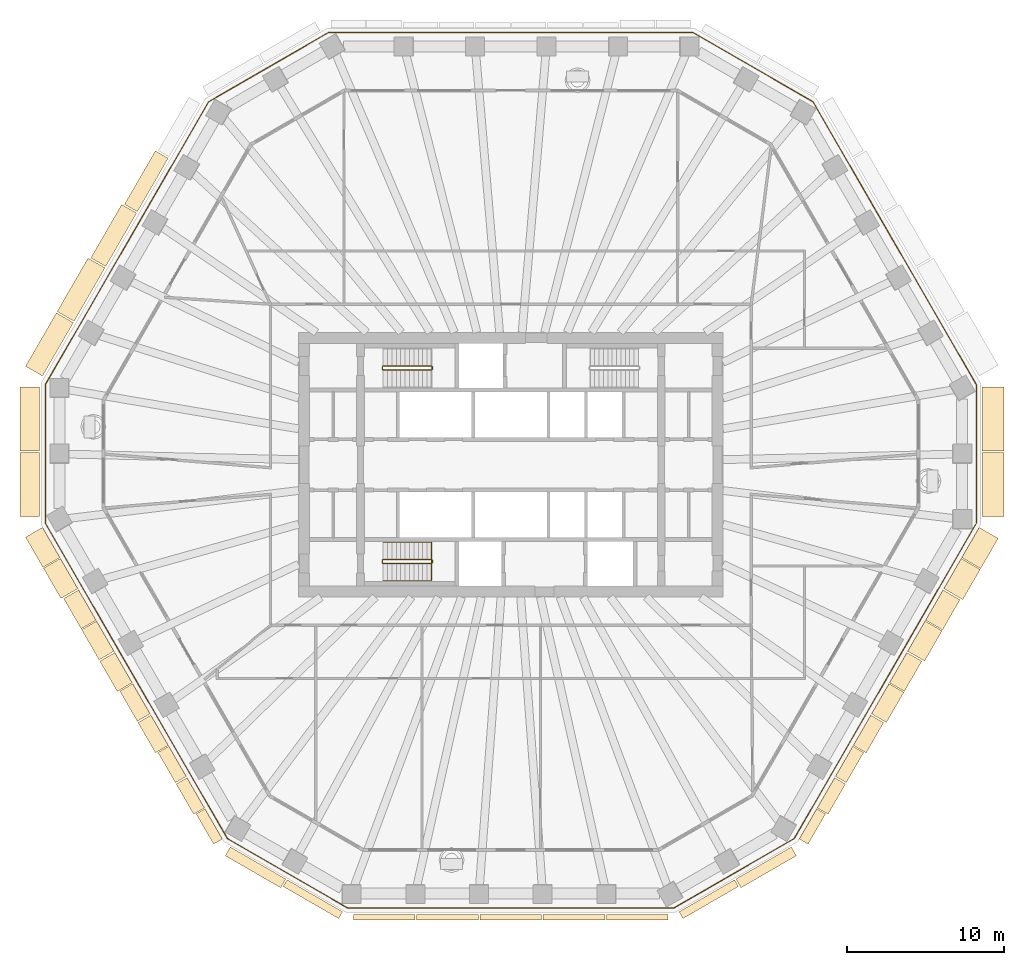
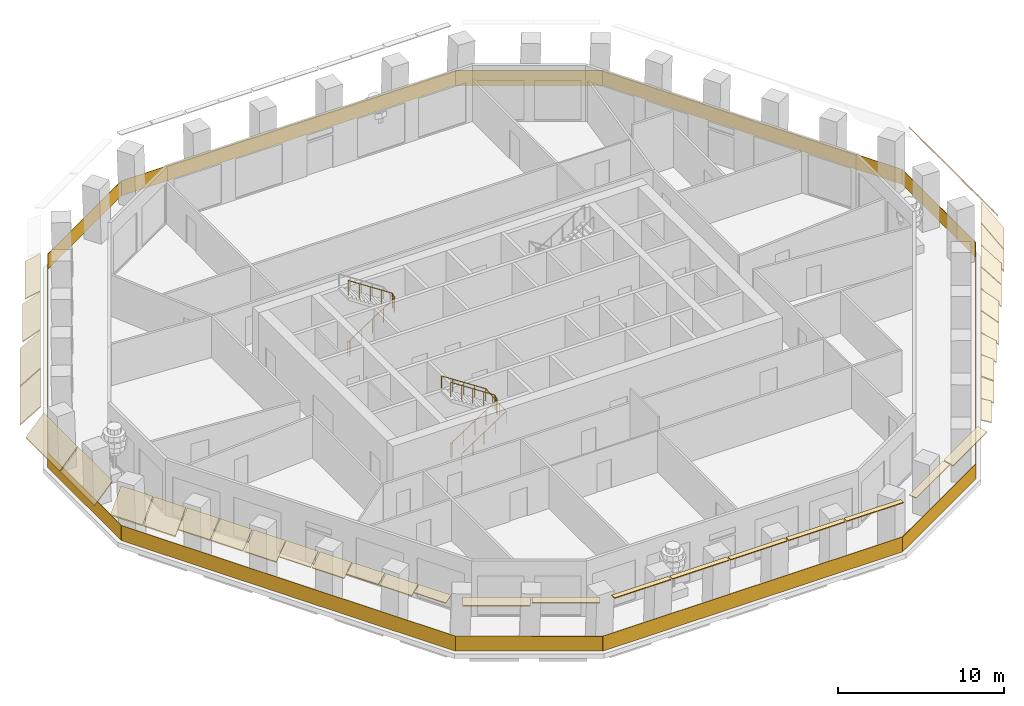
# One storey, part 10 of 13: 37 coverings, 4 railings.
"""IFC4 building model written with IfcOpenShell, lengths in metres."""

from ifc_helpers import new_model, si_unit, direction, frame, origin, origin_2d, place, context, subcontext, project, spatial, polyline, rectangle, circle, outline, extrude, material, layer, layer_set, type_object, element, save


model = new_model("IFC4")

# Units and contexts
model_context = context("Model", 3, precision=1e-05, world=origin(), true_north=direction((0.0, 1.0)))
body_context = subcontext(model_context, "Body", "Model", "MODEL_VIEW")
ifc_project = project(units=[si_unit("LENGTHUNIT", "METRE"), si_unit("AREAUNIT", "SQUARE_METRE"), si_unit("VOLUMEUNIT", "CUBIC_METRE"), si_unit("PLANEANGLEUNIT", "RADIAN"), si_unit("MASSUNIT", "GRAM", prefix="KILO")], contexts=[model_context])

# Site, building, storey
site_placement = place(None, origin())
site = spatial("IfcSite", under=ifc_project, at=site_placement, CompositionType="ELEMENT")
building_placement = place(site_placement, origin())
building = spatial("IfcBuilding", under=site, at=building_placement, Name="Frailejon Research Tower", CompositionType="ELEMENT")
storey_placement = place(building_placement, frame((0.0, 0.0, 167.199951171875)))
storey = spatial("IfcBuildingStorey", under=building, at=storey_placement, Name="L36", CompositionType="ELEMENT", Elevation=167.199951171875)

# Coverings
ifc_material_1 = material(Name="Precast concrete C50/60", Category="concrete")
ifc_layer_1 = layer(ifc_material_1, 0.06005859375)
ifc_layer_set_1 = layer_set([ifc_layer_1], Name="Brim blade depth 1100")
covering_type_1 = type_object("IfcCoveringType", Name="Brim blade depth 1100", PredefinedType="CLADDING", material=ifc_layer_set_1)
covering_1_placement = place(storey_placement, frame((-25.86572265625, 12.65869140625, 4.25), z_axis=(0.500009543026, 0.866019894046, 0.0), x_axis=(-0.866019894046, 0.500009543026, 0.0)))
element("IfcCovering", 1, at=covering_1_placement, inside=storey, type_object=covering_type_1, Name="Brim blade L36", PredefinedType="CLADDING", context=body_context, shape_type="SweptSolid", body=[
    extrude(outline(polyline([(0.0, -0.078369140625), (1.10009765625, -1.001220703125), (1.10009765625, -0.923095703125), (0.0, 0.0), (0.0, -0.078369140625)])), origin(), (0.0, 0.0, 1.0), 3.940185546875),
])
for number, where, z_axis, x_axis, name in (
    (2, (-26.484619140625, -9.927001953125, 4.25), (-0.499981914212, 0.866035845367, 0.0), (-0.866035845367, -0.499981914212, 0.0), "Brim blade L36"),
    (3, (-25.3408203125, -11.908203125, 4.25), (-0.499981914212, 0.866035845367, 0.0), (-0.866035845367, -0.499981914212, 0.0), "Brim blade L36"),
    (4, (-24.177001953125, -13.924072265625, 4.25), (-0.500007547957, 0.866021045926, 0.0), (-0.866021045926, -0.500007547957, 0.0), "Brim blade L36"),
    (5, (24.147216796875, -13.97607421875, 4.25), (-0.500007547957, -0.866021045926, 0.0), (0.866021045926, -0.500007547957, 0.0), "Brim blade L36"),
    (6, (25.291015625, -11.994873046875, 4.25), (-0.500007547957, -0.866021045926, 0.0), (0.866021045926, -0.500007547957, 0.0), "Brim blade L36"),
):
    element("IfcCovering", number, at=place(storey_placement, frame(where, z_axis=z_axis, x_axis=x_axis)), inside=storey, type_object=covering_type_1, Name=name, PredefinedType="CLADDING", context=body_context, shape_type="SweptSolid", body=[
        extrude(outline(polyline([(0.0, -0.078369140625), (1.10009765625, -1.001220703125), (1.10009765625, -0.923095703125), (0.0, 0.0), (0.0, -0.078369140625)])), origin(), (0.0, 0.0, 1.0), 2.2275390625),
    ])
ifc_material_2 = material(Name="Precast concrete C50/60", Category="concrete")
ifc_layer_2 = layer(ifc_material_2, 0.06005859375)
ifc_layer_set_2 = layer_set([ifc_layer_2], Name="Brim blade depth 1250")
covering_type_2 = type_object("IfcCoveringType", Name="Brim blade depth 1250", PredefinedType="CLADDING", material=ifc_layer_set_2)
covering_2_placement = place(storey_placement, frame((-27.8857421875, 9.15966796875, 4.25), z_axis=(0.499990979749, 0.866030611566, 0.0), x_axis=(-0.866030611566, 0.499990979749, 0.0)))
element("IfcCovering", 7, at=covering_2_placement, inside=storey, type_object=covering_type_2, Name="Brim blade L36", PredefinedType="CLADDING", context=body_context, shape_type="SweptSolid", body=[
    extrude(outline(polyline([(0.0, -0.0888671875), (1.25, -1.452880859375), (1.25, -1.364013671875), (0.0, 0.0), (0.0, -0.0888671875)])), origin(), (0.0, 0.0, 1.0), 3.940185546875),
])
covering_3_placement = place(storey_placement, frame((-29.906005859375, 5.660400390625, 4.25), z_axis=(0.499998825824, 0.866026081694, 0.0), x_axis=(-0.866026081694, 0.499998825824, 0.0)))
element("IfcCovering", 8, at=covering_3_placement, inside=storey, type_object=covering_type_2, Name="Brim blade L36", PredefinedType="CLADDING", context=body_context, shape_type="SweptSolid", body=[
    extrude(outline(polyline([(0.0, -0.0888671875), (1.25, -1.452880859375), (1.25, -1.364013671875), (0.0, 0.0), (0.0, -0.0888671875)])), origin(), (0.0, 0.0, 1.0), 3.9404296875),
])
covering_4_placement = place(storey_placement, frame((-30.091796875, 0.879638671875, 4.25), z_axis=(0.0, 1.0, 0.0), x_axis=(-1.0, 0.0, 0.0)))
element("IfcCovering", 9, at=covering_4_placement, inside=storey, type_object=covering_type_2, Name="Brim blade L36", PredefinedType="CLADDING", context=body_context, shape_type="SweptSolid", body=[
    extrude(outline(polyline([(0.0, -0.0888671875), (1.25, -1.452880859375), (1.25, -1.364013671875), (0.0, 0.0), (0.0, -0.0888671875)])), origin(), (0.0, 0.0, 1.0), 4.08740234375),
])
covering_5_placement = place(storey_placement, frame((-30.091796875, -3.307861328125, 4.25), z_axis=(0.0, 1.0, 0.0), x_axis=(-1.0, 0.0, 0.0)))
element("IfcCovering", 10, at=covering_5_placement, inside=storey, type_object=covering_type_2, Name="Brim blade L36", PredefinedType="CLADDING", context=body_context, shape_type="SweptSolid", body=[
    extrude(outline(polyline([(0.0, -0.0888671875), (1.25, -1.452880859375), (1.25, -1.364013671875), (0.0, 0.0), (0.0, -0.0888671875)])), origin(), (0.0, 0.0, 1.0), 4.087646484375),
])
for number, where, z_axis, x_axis, name in (
    (11, (-28.792236328125, -5.930419921875, 4.25), (-0.500007547957, 0.866021045926, 0.0), (-0.866021045926, -0.500007547957, 0.0), "Brim blade L36"),
    (12, (-27.6484375, -7.911376953125, 4.25), (-0.500007547957, 0.866021045926, 0.0), (-0.866021045926, -0.500007547957, 0.0), "Brim blade L36"),
    (13, (26.45458984375, -9.97900390625, 4.25), (-0.499981914212, -0.866035845367, 0.0), (0.866035845367, -0.499981914212, 0.0), "Brim blade L36"),
    (14, (27.598388671875, -7.998046875, 4.25), (-0.499981914212, -0.866035845367, 0.0), (0.866035845367, -0.499981914212, 0.0), "Brim blade L36"),
):
    element("IfcCovering", number, at=place(storey_placement, frame(where, z_axis=z_axis, x_axis=x_axis)), inside=storey, type_object=covering_type_2, Name=name, PredefinedType="CLADDING", context=body_context, shape_type="SweptSolid", body=[
        extrude(outline(polyline([(0.0, -0.0888671875), (1.25, -1.452880859375), (1.25, -1.364013671875), (0.0, 0.0), (0.0, -0.0888671875)])), origin(), (0.0, 0.0, 1.0), 2.2275390625),
    ])
ifc_material_3 = material(Name="Precast concrete C50/60", Category="concrete")
ifc_layer_3 = layer(ifc_material_3, 0.06005859375)
ifc_layer_set_3 = layer_set([ifc_layer_3], Name="Brim blade depth 1400")
covering_type_3 = type_object("IfcCoveringType", Name="Brim blade depth 1400", PredefinedType="CLADDING", material=ifc_layer_set_3)
covering_6_placement = place(storey_placement, frame((30.091796875, 0.77978515625, 4.25), z_axis=(0.0, -1.0, 0.0), x_axis=(1.0, 0.0, 0.0)))
element("IfcCovering", 15, at=covering_6_placement, inside=storey, type_object=covering_type_3, Name="Brim blade L36", PredefinedType="CLADDING", context=body_context, shape_type="SweptSolid", body=[
    extrude(outline(polyline([(0.0, -0.1044921875), (1.39990234375, -2.10400390625), (1.39990234375, -1.99951171875), (0.0, 0.0), (0.0, -0.1044921875)])), origin(), (0.0, 0.0, 1.0), 4.087646484375),
])
covering_7_placement = place(storey_placement, frame((30.091796875, 4.96728515625, 4.25), z_axis=(0.0, -1.0, 0.0), x_axis=(1.0, 0.0, 0.0)))
element("IfcCovering", 16, at=covering_7_placement, inside=storey, type_object=covering_type_3, Name="Brim blade L36", PredefinedType="CLADDING", context=body_context, shape_type="SweptSolid", body=[
    extrude(outline(polyline([(0.0, -0.1044921875), (1.39990234375, -2.10400390625), (1.39990234375, -1.99951171875), (0.0, 0.0), (0.0, -0.1044921875)])), origin(), (0.0, 0.0, 1.0), 4.08740234375),
])
for number, where, z_axis, x_axis, name in (
    (17, (28.76220703125, -5.982421875, 4.25), (-0.500007547957, -0.866021045926, 0.0), (0.866021045926, -0.500007547957, 0.0), "Brim blade L36"),
    (18, (29.906005859375, -4.001220703125, 4.25), (-0.500007547957, -0.866021045926, 0.0), (0.866021045926, -0.500007547957, 0.0), "Brim blade L36"),
):
    element("IfcCovering", number, at=place(storey_placement, frame(where, z_axis=z_axis, x_axis=x_axis)), inside=storey, type_object=covering_type_3, Name=name, PredefinedType="CLADDING", context=body_context, shape_type="SweptSolid", body=[
        extrude(outline(polyline([(0.0, -0.1044921875), (1.39990234375, -2.10400390625), (1.39990234375, -1.99951171875), (0.0, 0.0), (0.0, -0.1044921875)])), origin(), (0.0, 0.0, 1.0), 2.2275390625),
    ])
ifc_material_4 = material(Name="Precast concrete C50/60", Category="concrete")
ifc_layer_4 = layer(ifc_material_4, 0.06005859375)
ifc_layer_set_4 = layer_set([ifc_layer_4], Name="Brim blade depth 350")
covering_type_4 = type_object("IfcCoveringType", Name="Brim blade depth 350", PredefinedType="CLADDING", material=ifc_layer_set_4)
covering_8_placement = place(storey_placement, frame((-6.110595703125, -28.729736328125, 4.25), z_axis=(-1.0, 0.0, 0.0), x_axis=(0.0, -1.0, 0.0)))
element("IfcCovering", 19, at=covering_8_placement, inside=storey, type_object=covering_type_4, Name="Brim blade L36", PredefinedType="CLADDING", context=body_context, shape_type="SweptSolid", body=[
    extrude(outline(polyline([(0.0, -0.06005859375), (0.35009765625, -0.06005859375), (0.35009765625, 0.0), (0.0, 0.0), (0.0, -0.06005859375)])), origin(), (0.0, 0.0, 1.0), 3.9404296875),
])
covering_9_placement = place(storey_placement, frame((-2.0703125, -28.729736328125, 4.25), z_axis=(-1.0, 0.0, 0.0), x_axis=(0.0, -1.0, 0.0)))
element("IfcCovering", 20, at=covering_9_placement, inside=storey, type_object=covering_type_4, Name="Brim blade L36", PredefinedType="CLADDING", context=body_context, shape_type="SweptSolid", body=[
    extrude(outline(polyline([(0.0, -0.06005859375), (0.35009765625, -0.06005859375), (0.35009765625, 0.0), (0.0, 0.0), (0.0, -0.06005859375)])), origin(), (0.0, 0.0, 1.0), 3.940185546875),
])
covering_10_placement = place(storey_placement, frame((1.97021484375, -28.729736328125, 4.25), z_axis=(-1.0, 0.0, 0.0), x_axis=(0.0, -1.0, 0.0)))
element("IfcCovering", 21, at=covering_10_placement, inside=storey, type_object=covering_type_4, Name="Brim blade L36", PredefinedType="CLADDING", context=body_context, shape_type="SweptSolid", body=[
    extrude(outline(polyline([(0.0, -0.06005859375), (0.35009765625, -0.06005859375), (0.35009765625, 0.0), (0.0, 0.0), (0.0, -0.06005859375)])), origin(), (0.0, 0.0, 1.0), 3.9404296875),
])
covering_11_placement = place(storey_placement, frame((6.010498046875, -28.729736328125, 4.25), z_axis=(-1.0, 0.0, 0.0), x_axis=(0.0, -1.0, 0.0)))
element("IfcCovering", 22, at=covering_11_placement, inside=storey, type_object=covering_type_4, Name="Brim blade L36", PredefinedType="CLADDING", context=body_context, shape_type="SweptSolid", body=[
    extrude(outline(polyline([(0.0, -0.06005859375), (0.35009765625, -0.06005859375), (0.35009765625, 0.0), (0.0, 0.0), (0.0, -0.06005859375)])), origin(), (0.0, 0.0, 1.0), 3.940185546875),
])
covering_12_placement = place(storey_placement, frame((10.05078125, -28.729736328125, 4.25), z_axis=(-1.0, 0.0, 0.0), x_axis=(0.0, -1.0, 0.0)))
element("IfcCovering", 23, at=covering_12_placement, inside=storey, type_object=covering_type_4, Name="Brim blade L36", PredefinedType="CLADDING", context=body_context, shape_type="SweptSolid", body=[
    extrude(outline(polyline([(0.0, -0.06005859375), (0.35009765625, -0.06005859375), (0.35009765625, 0.0), (0.0, 0.0), (0.0, -0.06005859375)])), origin(), (0.0, 0.0, 1.0), 3.9404296875),
])
ifc_material_5 = material(Name="Precast concrete C50/60", Category="concrete")
ifc_layer_5 = layer(ifc_material_5, 0.06005859375)
ifc_layer_set_5 = layer_set([ifc_layer_5], Name="Brim blade depth 500")
covering_type_5 = type_object("IfcCoveringType", Name="Brim blade depth 500", PredefinedType="CLADDING", material=ifc_layer_set_5)
for number, where, z_axis, x_axis, name in (
    (24, (-10.744140625, -28.5439453125, 4.25), (-0.866021344981, 0.500007029989, 0.0), (-0.500007029989, -0.866021344981, 0.0), "Brim blade L36"),
    (25, (14.2841796875, -26.5, 4.25), (-0.866021344981, -0.500007029989, 0.0), (0.500007029989, -0.866021344981, 0.0), "Brim blade L36"),
):
    element("IfcCovering", number, at=place(storey_placement, frame(where, z_axis=z_axis, x_axis=x_axis)), inside=storey, type_object=covering_type_5, Name=name, PredefinedType="CLADDING", context=body_context, shape_type="SweptSolid", body=[
        extrude(outline(polyline([(0.0, -0.060546875), (0.5, -0.130859375), (0.5, -0.0703125), (0.0, 0.0), (0.0, -0.060546875)])), origin(), (0.0, 0.0, 1.0), 4.08740234375),
    ])
ifc_material_6 = material(Name="Precast concrete C50/60", Category="concrete")
ifc_layer_6 = layer(ifc_material_6, 0.06005859375)
ifc_layer_set_6 = layer_set([ifc_layer_6], Name="Brim blade depth 650")
covering_type_6 = type_object("IfcCoveringType", Name="Brim blade depth 650", PredefinedType="CLADDING", material=ifc_layer_set_6)
covering_13_placement = place(storey_placement, frame((-18.418212890625, -23.898681640625, 4.25), z_axis=(-0.500007547957, 0.866021045926, 0.0), x_axis=(-0.866021045926, -0.500007547957, 0.0)))
element("IfcCovering", 26, at=covering_13_placement, inside=storey, type_object=covering_type_6, Name="Brim blade L36", PredefinedType="CLADDING", context=body_context, shape_type="SweptSolid", body=[
    extrude(outline(polyline([(0.0, -0.0625), (0.64990234375, -0.248779296875), (0.64990234375, -0.186279296875), (0.0, 0.0), (0.0, -0.0625)])), origin(), (0.0, 0.0, 1.0), 2.2275390625),
])
for number, where, z_axis, x_axis, name in (
    (27, (-14.37060546875, -26.4501953125, 4.25), (-0.866021344981, 0.500007029989, 0.0), (-0.500007029989, -0.866021344981, 0.0), "Brim blade L36"),
    (28, (17.91064453125, -24.40625, 4.25), (-0.866021344981, -0.500007029989, 0.0), (0.500007029989, -0.866021344981, 0.0), "Brim blade L36"),
):
    element("IfcCovering", number, at=place(storey_placement, frame(where, z_axis=z_axis, x_axis=x_axis)), inside=storey, type_object=covering_type_6, Name=name, PredefinedType="CLADDING", context=body_context, shape_type="SweptSolid", body=[
        extrude(outline(polyline([(0.0, -0.0625), (0.64990234375, -0.248779296875), (0.64990234375, -0.186279296875), (0.0, 0.0), (0.0, -0.0625)])), origin(), (0.0, 0.0, 1.0), 4.08740234375),
    ])
covering_14_placement = place(storey_placement, frame((19.531982421875, -21.9697265625, 4.25), z_axis=(-0.500007547957, -0.866021045926, 0.0), x_axis=(0.866021045926, -0.500007547957, 0.0)))
element("IfcCovering", 29, at=covering_14_placement, inside=storey, type_object=covering_type_6, Name="Brim blade L36", PredefinedType="CLADDING", context=body_context, shape_type="SweptSolid", body=[
    extrude(outline(polyline([(0.0, -0.0625), (0.64990234375, -0.248779296875), (0.64990234375, -0.186279296875), (0.0, 0.0), (0.0, -0.0625)])), origin(), (0.0, 0.0, 1.0), 2.2275390625),
])
ifc_material_7 = material(Name="Precast concrete C50/60", Category="concrete")
ifc_layer_7 = layer(ifc_material_7, 0.06005859375)
ifc_layer_set_7 = layer_set([ifc_layer_7], Name="Brim blade depth 800")
covering_type_7 = type_object("IfcCoveringType", Name="Brim blade depth 800", PredefinedType="CLADDING", material=ifc_layer_set_7)
for number, where, z_axis, x_axis, name in (
    (30, (-20.7255859375, -19.902099609375, 4.25), (-0.499998165095, 0.866026463165, 0.0), (-0.866026463165, -0.499998165095, 0.0), "Brim blade L36"),
    (31, (-19.56201171875, -21.917724609375, 4.25), (-0.500007547957, 0.866021045926, 0.0), (-0.866021045926, -0.500007547957, 0.0), "Brim blade L36"),
    (32, (20.67578125, -19.988525390625, 4.25), (-0.500007547957, -0.866021045926, 0.0), (0.866021045926, -0.500007547957, 0.0), "Brim blade L36"),
    (33, (21.839599609375, -17.972900390625, 4.25), (-0.499998165095, -0.866026463165, 0.0), (0.866026463165, -0.499998165095, 0.0), "Brim blade L36"),
):
    element("IfcCovering", number, at=place(storey_placement, frame(where, z_axis=z_axis, x_axis=x_axis)), inside=storey, type_object=covering_type_7, Name=name, PredefinedType="CLADDING", context=body_context, shape_type="SweptSolid", body=[
        extrude(outline(polyline([(0.0, -0.065673828125), (0.800048828125, -0.421875), (0.800048828125, -0.356201171875), (0.0, 0.0), (0.0, -0.065673828125)])), origin(), (0.0, 0.0, 1.0), 2.2275390625),
    ])
ifc_material_8 = material(Name="Precast concrete C50/60", Category="concrete")
ifc_layer_8 = layer(ifc_material_8, 0.06005859375)
ifc_layer_set_8 = layer_set([ifc_layer_8], Name="Brim blade depth 950")
covering_type_8 = type_object("IfcCoveringType", Name="Brim blade depth 950", PredefinedType="CLADDING", material=ifc_layer_set_8)
covering_15_placement = place(storey_placement, frame((-23.845458984375, 16.15771484375, 4.25), z_axis=(0.499998825824, 0.866026081694, 0.0), x_axis=(-0.866026081694, 0.499998825824, 0.0)))
element("IfcCovering", 34, at=covering_15_placement, inside=storey, type_object=covering_type_8, Name="Brim blade L36", PredefinedType="CLADDING", context=body_context, shape_type="SweptSolid", body=[
    extrude(outline(polyline([(0.0, -0.07080078125), (0.949951171875, -0.664306640625), (0.949951171875, -0.593505859375), (0.0, 0.0), (0.0, -0.07080078125)])), origin(), (0.0, 0.0, 1.0), 3.9404296875),
])
for number, where, z_axis, x_axis, name in (
    (35, (-23.033203125, -15.905029296875, 4.25), (-0.500007547957, 0.866021045926, 0.0), (-0.866021045926, -0.500007547957, 0.0), "Brim blade L36"),
    (36, (-21.869384765625, -17.9208984375, 4.25), (-0.499998165095, 0.866026463165, 0.0), (-0.866026463165, -0.499998165095, 0.0), "Brim blade L36"),
    (37, (22.9833984375, -15.99169921875, 4.25), (-0.499998165095, -0.866026463165, 0.0), (0.866026463165, -0.499998165095, 0.0), "Brim blade L36"),
):
    element("IfcCovering", number, at=place(storey_placement, frame(where, z_axis=z_axis, x_axis=x_axis)), inside=storey, type_object=covering_type_8, Name=name, PredefinedType="CLADDING", context=body_context, shape_type="SweptSolid", body=[
        extrude(outline(polyline([(0.0, -0.07080078125), (0.949951171875, -0.664306640625), (0.949951171875, -0.593505859375), (0.0, 0.0), (0.0, -0.07080078125)])), origin(), (0.0, 0.0, 1.0), 2.2275390625),
    ])

# Railings
ifc_material_9 = material(Name="Laminated glass balustrade", Category="glass")
railing_type_1 = type_object("IfcRailingType", Name="Glass guard 1100", PredefinedType="GUARDRAIL", material=ifc_material_9)
railing_1_placement = place(storey_placement, frame((29.720703125, -3.73974609375, 0.0)))
element("IfcRailing", 38, at=railing_1_placement, inside=storey, type_object=railing_type_1, Name="Loggia guard L36", PredefinedType="GUARDRAIL", context=body_context, shape_type="SweptSolid", body=[
    extrude(rectangle(XDim=8.862060546875, YDim=0.030029296875, at=origin_2d()), frame((0.0, 4.43115234375, 0.0), z_axis=(0.0, 0.0, 1.0), x_axis=(0.0, 1.0, 0.0)), (0.0, 0.0, 1.0), 1.10009765625),
    extrude(rectangle(XDim=20.848388671875, YDim=0.030029296875, at=origin_2d()), frame((-5.212158203125, 17.8896484375, 0.0), z_axis=(0.0, 0.0, 1.0), x_axis=(-0.500005605049, 0.866022167684, 0.0)), (0.0, 0.0, 1.0), 1.10009765625),
    extrude(rectangle(XDim=8.862060546875, YDim=0.030029296875, at=origin_2d()), frame((-14.26171875, 29.1328125, 0.0), z_axis=(0.0, 0.0, 1.0), x_axis=(-0.86602043012, 0.50000861454, 0.0)), (0.0, 0.0, 1.0), 1.10009765625),
    extrude(rectangle(XDim=23.2431640625, YDim=0.030029296875, at=origin_2d()), frame((-29.720703125, 31.348388671875, 0.0), z_axis=(0.0, 0.0, 1.0), x_axis=(-1.0, 0.0, 0.0)), (0.0, 0.0, 1.0), 1.10009765625),
    extrude(rectangle(XDim=8.862060546875, YDim=0.030029296875, at=origin_2d()), frame((-45.1796875, 29.1328125, 0.0), z_axis=(0.0, 0.0, 1.0), x_axis=(-0.86602043012, -0.50000861454, 0.0)), (0.0, 0.0, 1.0), 1.10009765625),
    extrude(rectangle(XDim=20.848388671875, YDim=0.030029296875, at=origin_2d()), frame((-54.229248046875, 17.8896484375, 0.0), z_axis=(0.0, 0.0, 1.0), x_axis=(-0.500005605049, -0.866022167684, 0.0)), (0.0, 0.0, 1.0), 1.10009765625),
    extrude(rectangle(XDim=8.862060546875, YDim=0.030029296875, at=origin_2d()), frame((-59.44140625, 4.43115234375, 0.0), z_axis=(0.0, 0.0, 1.0), x_axis=(0.0, -1.0, 0.0)), (0.0, 0.0, 1.0), 1.10009765625),
    extrude(rectangle(XDim=23.2431640625, YDim=0.030029296875, at=origin_2d()), frame((-53.63037109375, -10.064453125, 0.0), z_axis=(0.0, 0.0, 1.0), x_axis=(0.500008253183, -0.866020638755, 0.0)), (0.0, 0.0, 1.0), 1.10009765625),
    extrude(rectangle(XDim=8.862060546875, YDim=0.030029296875, at=origin_2d()), frame((-43.982421875, -22.3447265625, 0.0), z_axis=(0.0, 0.0, 1.0), x_axis=(0.866013542465, -0.500020543844, 0.0)), (0.0, 0.0, 1.0), 1.10009765625),
    extrude(rectangle(XDim=20.8486328125, YDim=0.030029296875, at=origin_2d()), frame((-29.720703125, -24.560302734375, 0.0), z_axis=(0.0, 0.0, 1.0), x_axis=(1.0, 0.0, 0.0)), (0.0, 0.0, 1.0), 1.10009765625),
    extrude(rectangle(XDim=8.862060546875, YDim=0.030029296875, at=origin_2d()), frame((-15.458984375, -22.3447265625, 0.0), z_axis=(0.0, 0.0, 1.0), x_axis=(0.866013542465, 0.500020543844, 0.0)), (0.0, 0.0, 1.0), 1.10009765625),
    extrude(rectangle(XDim=23.17333984375, YDim=0.030029296875, at=origin_2d()), frame((-5.82861328125, -10.0947265625, 0.0), z_axis=(0.0, 0.0, 1.0), x_axis=(0.500001821491, 0.866024352144, 0.0)), (0.0, 0.0, 1.0), 1.10009765625),
])
ifc_material_10 = material(Name="Stainless steel", Category="steel")
railing_type_2 = type_object("IfcRailingType", Name="Stair guard 1100", PredefinedType="GUARDRAIL", material=ifc_material_10)
railing_2_placement = place(storey_placement, frame((-8.199951171875, 6.25, 0.0)))
element("IfcRailing", 39, at=railing_2_placement, inside=storey, type_object=railing_type_2, Name="L36 ST1 stair guard 1", PredefinedType="GUARDRAIL", context=body_context, shape_type="SweptSolid", body=[
    extrude(circle(Radius=0.02392578125, at=origin_2d()), frame((0.0, 0.0, 1.076171875), z_axis=(0.0, -1.0, 0.0), x_axis=(1.0, 0.0, 0.0)), (0.0, 0.0, 1.0), 0.14990234375),
    extrude(circle(Radius=0.02392578125, at=origin_2d()), frame((0.0, -0.14990234375, 1.076171875), z_axis=(0.254653276557, -0.254653276557, 0.932900539971), x_axis=(0.707106781187, 0.707106781187, 0.0)), (0.0, 0.0, 1.0), 0.196533203125),
    extrude(circle(Radius=0.02392578125, at=origin_2d()), frame((0.050048828125, -0.199951171875, 1.25927734375), z_axis=(0.836613101238, 0.0, 0.547794230379), x_axis=(0.0, 1.0, 0.0)), (0.0, 0.0, 1.0), 3.681396484375),
    extrude(circle(Radius=0.02392578125, at=origin_2d()), frame((3.1298828125, -0.199951171875, 3.27587890625), z_axis=(0.707106781187, 0.707106781187, 0.0), x_axis=(-0.707106781187, 0.707106781187, 0.0)), (0.0, 0.0, 1.0), 0.07080078125),
    extrude(circle(Radius=0.02392578125, at=origin_2d()), frame((3.179931640625, -0.14990234375, 3.27587890625), z_axis=(0.0, 1.0, 0.0), x_axis=(-1.0, 0.0, 0.0)), (0.0, 0.0, 1.0), 0.14990234375),
    extrude(circle(Radius=0.02392578125, at=origin_2d()), frame((3.179931640625, 0.0, 3.27587890625), z_axis=(-0.254653276557, 0.254653276557, 0.932900539971), x_axis=(-0.707106781187, -0.707106781187, 0.0)), (0.0, 0.0, 1.0), 0.196533203125),
    extrude(circle(Radius=0.02392578125, at=origin_2d()), frame((3.1298828125, 0.050048828125, 3.45947265625), z_axis=(-0.836582707638, 0.0, 0.547840645882), x_axis=(0.0, -1.0, 0.0)), (0.0, 0.0, 1.0), 3.681396484375),
    extrude(circle(Radius=0.02099609375, at=origin_2d()), origin(), (0.0, 0.0, 1.0), 1.052001953125),
    extrude(circle(Radius=0.02099609375, at=origin_2d()), frame((0.0, -0.14990234375, 0.0)), (0.0, 0.0, 1.0), 1.052001953125),
    extrude(circle(Radius=0.02099609375, at=origin_2d()), frame((0.050048828125, -0.199951171875, 0.183349609375)), (0.0, 0.0, 1.0), 1.052001953125),
    extrude(circle(Radius=0.02099609375, at=origin_2d()), frame((0.820068359375, -0.199951171875, 0.6875)), (0.0, 0.0, 1.0), 1.052001953125),
    extrude(circle(Radius=0.02099609375, at=origin_2d()), frame((1.58984375, -0.199951171875, 1.191650390625)), (0.0, 0.0, 1.0), 1.052001953125),
    extrude(circle(Radius=0.02099609375, at=origin_2d()), frame((2.35986328125, -0.199951171875, 1.69580078125)), (0.0, 0.0, 1.0), 1.052001953125),
    extrude(circle(Radius=0.02099609375, at=origin_2d()), frame((3.1298828125, -0.199951171875, 2.199951171875)), (0.0, 0.0, 1.0), 1.052001953125),
    extrude(circle(Radius=0.02099609375, at=origin_2d()), frame((3.179931640625, -0.14990234375, 2.199951171875)), (0.0, 0.0, 1.0), 1.052001953125),
    extrude(circle(Radius=0.02099609375, at=origin_2d()), frame((3.179931640625, 0.0, 2.199951171875)), (0.0, 0.0, 1.0), 1.052001953125),
    extrude(circle(Radius=0.02099609375, at=origin_2d()), frame((3.1298828125, 0.050048828125, 2.38330078125)), (0.0, 0.0, 1.0), 1.052001953125),
    extrude(circle(Radius=0.02099609375, at=origin_2d()), frame((2.35986328125, 0.050048828125, 2.887451171875)), (0.0, 0.0, 1.0), 1.052001953125),
    extrude(circle(Radius=0.02099609375, at=origin_2d()), frame((1.58984375, 0.050048828125, 3.3916015625)), (0.0, 0.0, 1.0), 1.052001953125),
    extrude(circle(Radius=0.02099609375, at=origin_2d()), frame((0.820068359375, 0.050048828125, 3.89599609375)), (0.0, 0.0, 1.0), 1.052001953125),
    extrude(circle(Radius=0.02099609375, at=origin_2d()), frame((0.050048828125, 0.050048828125, 4.400146484375)), (0.0, 0.0, 1.0), 1.052001953125),
])
railing_3_placement = place(storey_placement, frame((-8.199951171875, -6.10009765625, 0.0)))
element("IfcRailing", 40, at=railing_3_placement, inside=storey, type_object=railing_type_2, Name="L36 ST2 stair guard 1", PredefinedType="GUARDRAIL", context=body_context, shape_type="SweptSolid", body=[
    extrude(circle(Radius=0.02392578125, at=origin_2d()), frame((0.0, 0.0, 1.076171875), z_axis=(0.0, -1.0, 0.0), x_axis=(1.0, 0.0, 0.0)), (0.0, 0.0, 1.0), 0.14990234375),
    extrude(circle(Radius=0.02392578125, at=origin_2d()), frame((0.0, -0.14990234375, 1.076171875), z_axis=(0.254653276557, -0.254653276557, 0.932900539971), x_axis=(0.707106781187, 0.707106781187, 0.0)), (0.0, 0.0, 1.0), 0.196533203125),
    extrude(circle(Radius=0.02392578125, at=origin_2d()), frame((0.050048828125, -0.199951171875, 1.25927734375), z_axis=(0.836613101238, 0.0, 0.547794230379), x_axis=(0.0, 1.0, 0.0)), (0.0, 0.0, 1.0), 3.681396484375),
    extrude(circle(Radius=0.02392578125, at=origin_2d()), frame((3.1298828125, -0.199951171875, 3.27587890625), z_axis=(0.707106781187, 0.707106781187, 0.0), x_axis=(-0.707106781187, 0.707106781187, 0.0)), (0.0, 0.0, 1.0), 0.07080078125),
    extrude(circle(Radius=0.02392578125, at=origin_2d()), frame((3.179931640625, -0.14990234375, 3.27587890625), z_axis=(0.0, 1.0, 0.0), x_axis=(-1.0, 0.0, 0.0)), (0.0, 0.0, 1.0), 0.14990234375),
    extrude(circle(Radius=0.02392578125, at=origin_2d()), frame((3.179931640625, 0.0, 3.27587890625), z_axis=(-0.254653276557, 0.254653276557, 0.932900539971), x_axis=(-0.707106781187, -0.707106781187, 0.0)), (0.0, 0.0, 1.0), 0.196533203125),
    extrude(circle(Radius=0.02392578125, at=origin_2d()), frame((3.1298828125, 0.050048828125, 3.45947265625), z_axis=(-0.836582707638, 0.0, 0.547840645882), x_axis=(0.0, -1.0, 0.0)), (0.0, 0.0, 1.0), 3.681396484375),
    extrude(circle(Radius=0.02099609375, at=origin_2d()), origin(), (0.0, 0.0, 1.0), 1.052001953125),
    extrude(circle(Radius=0.02099609375, at=origin_2d()), frame((0.0, -0.14990234375, 0.0)), (0.0, 0.0, 1.0), 1.052001953125),
    extrude(circle(Radius=0.02099609375, at=origin_2d()), frame((0.050048828125, -0.199951171875, 0.183349609375)), (0.0, 0.0, 1.0), 1.052001953125),
    extrude(circle(Radius=0.02099609375, at=origin_2d()), frame((0.820068359375, -0.199951171875, 0.6875)), (0.0, 0.0, 1.0), 1.052001953125),
    extrude(circle(Radius=0.02099609375, at=origin_2d()), frame((1.58984375, -0.199951171875, 1.191650390625)), (0.0, 0.0, 1.0), 1.052001953125),
    extrude(circle(Radius=0.02099609375, at=origin_2d()), frame((2.35986328125, -0.199951171875, 1.69580078125)), (0.0, 0.0, 1.0), 1.052001953125),
    extrude(circle(Radius=0.02099609375, at=origin_2d()), frame((3.1298828125, -0.199951171875, 2.199951171875)), (0.0, 0.0, 1.0), 1.052001953125),
    extrude(circle(Radius=0.02099609375, at=origin_2d()), frame((3.179931640625, -0.14990234375, 2.199951171875)), (0.0, 0.0, 1.0), 1.052001953125),
    extrude(circle(Radius=0.02099609375, at=origin_2d()), frame((3.179931640625, 0.0, 2.199951171875)), (0.0, 0.0, 1.0), 1.052001953125),
    extrude(circle(Radius=0.02099609375, at=origin_2d()), frame((3.1298828125, 0.050048828125, 2.38330078125)), (0.0, 0.0, 1.0), 1.052001953125),
    extrude(circle(Radius=0.02099609375, at=origin_2d()), frame((2.35986328125, 0.050048828125, 2.887451171875)), (0.0, 0.0, 1.0), 1.052001953125),
    extrude(circle(Radius=0.02099609375, at=origin_2d()), frame((1.58984375, 0.050048828125, 3.3916015625)), (0.0, 0.0, 1.0), 1.052001953125),
    extrude(circle(Radius=0.02099609375, at=origin_2d()), frame((0.820068359375, 0.050048828125, 3.89599609375)), (0.0, 0.0, 1.0), 1.052001953125),
    extrude(circle(Radius=0.02099609375, at=origin_2d()), frame((0.050048828125, 0.050048828125, 4.400146484375)), (0.0, 0.0, 1.0), 1.052001953125),
])
ifc_material_11 = material(Name="Stainless steel", Category="steel")
railing_type_3 = type_object("IfcRailingType", Name="Stair handrail 900", PredefinedType="HANDRAIL", material=ifc_material_11)
railing_4_placement = place(storey_placement, frame((-8.14990234375, -7.39990234375, 0.183349609375)))
element("IfcRailing", 41, at=railing_4_placement, inside=storey, type_object=railing_type_3, Name="L36 ST2 stair handrail 1", PredefinedType="HANDRAIL", context=body_context, shape_type="SweptSolid", body=[
    extrude(circle(Radius=0.02392578125, at=origin_2d()), frame((0.0, 0.0, 0.8759765625), z_axis=(0.836613101238, 0.0, 0.547794230379), x_axis=(0.0, 1.0, 0.0)), (0.0, 0.0, 1.0), 3.681396484375),
    extrude(circle(Radius=0.02392578125, at=origin_2d()), frame((3.079833984375, 0.0, 2.892578125), z_axis=(0.0, 0.99721134034, 0.074629368868), x_axis=(-1.0, 0.0, 0.0)), (0.0, 0.0, 1.0), 2.456787109375),
    extrude(circle(Radius=0.02392578125, at=origin_2d()), frame((3.079833984375, 2.449951171875, 3.07568359375), z_axis=(-0.836582707638, 0.0, 0.547840645882), x_axis=(0.0, -1.0, 0.0)), (0.0, 0.0, 1.0), 3.681396484375),
    extrude(circle(Radius=0.02099609375, at=origin_2d()), origin(), (0.0, 0.0, 1.0), 0.851806640625),
    extrude(circle(Radius=0.02099609375, at=origin_2d()), frame((0.77001953125, 0.0, 0.504150390625)), (0.0, 0.0, 1.0), 0.851806640625),
    extrude(circle(Radius=0.02099609375, at=origin_2d()), frame((1.5400390625, 0.0, 1.00830078125)), (0.0, 0.0, 1.0), 0.851806640625),
    extrude(circle(Radius=0.02099609375, at=origin_2d()), frame((2.309814453125, 0.0, 1.512451171875)), (0.0, 0.0, 1.0), 0.851806640625),
    extrude(circle(Radius=0.02099609375, at=origin_2d()), frame((3.079833984375, 0.0, 2.0166015625)), (0.0, 0.0, 1.0), 0.851806640625),
    extrude(circle(Radius=0.02099609375, at=origin_2d()), frame((3.079833984375, 0.816650390625, 2.07763671875)), (0.0, 0.0, 1.0), 0.851806640625),
    extrude(circle(Radius=0.02099609375, at=origin_2d()), frame((3.079833984375, 1.63330078125, 2.138916015625)), (0.0, 0.0, 1.0), 0.851806640625),
    extrude(circle(Radius=0.02099609375, at=origin_2d()), frame((3.079833984375, 2.449951171875, 2.199951171875)), (0.0, 0.0, 1.0), 0.851806640625),
    extrude(circle(Radius=0.02099609375, at=origin_2d()), frame((2.309814453125, 2.449951171875, 2.7041015625)), (0.0, 0.0, 1.0), 0.851806640625),
    extrude(circle(Radius=0.02099609375, at=origin_2d()), frame((1.5400390625, 2.449951171875, 3.20849609375)), (0.0, 0.0, 1.0), 0.851806640625),
    extrude(circle(Radius=0.02099609375, at=origin_2d()), frame((0.77001953125, 2.449951171875, 3.712646484375)), (0.0, 0.0, 1.0), 0.851806640625),
    extrude(circle(Radius=0.02099609375, at=origin_2d()), frame((0.0, 2.449951171875, 4.216796875)), (0.0, 0.0, 1.0), 0.851806640625),
])

save(model, "model.ifc")
